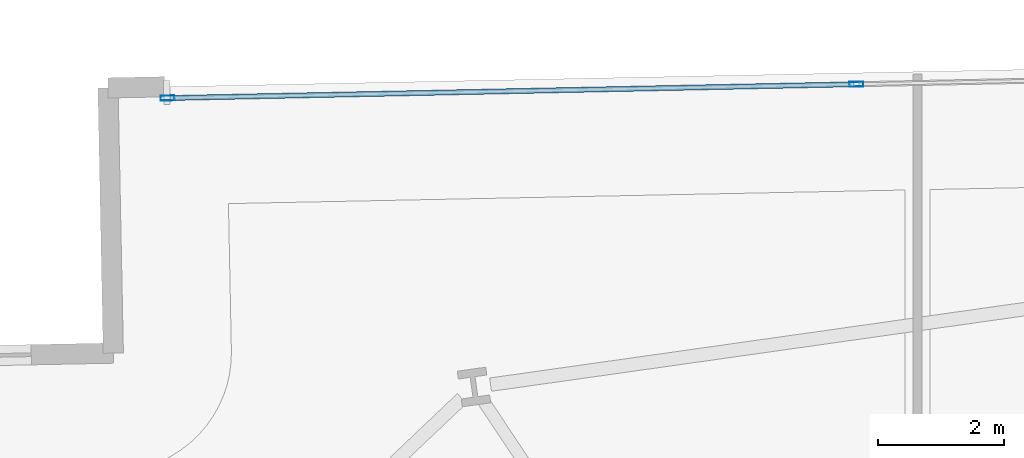
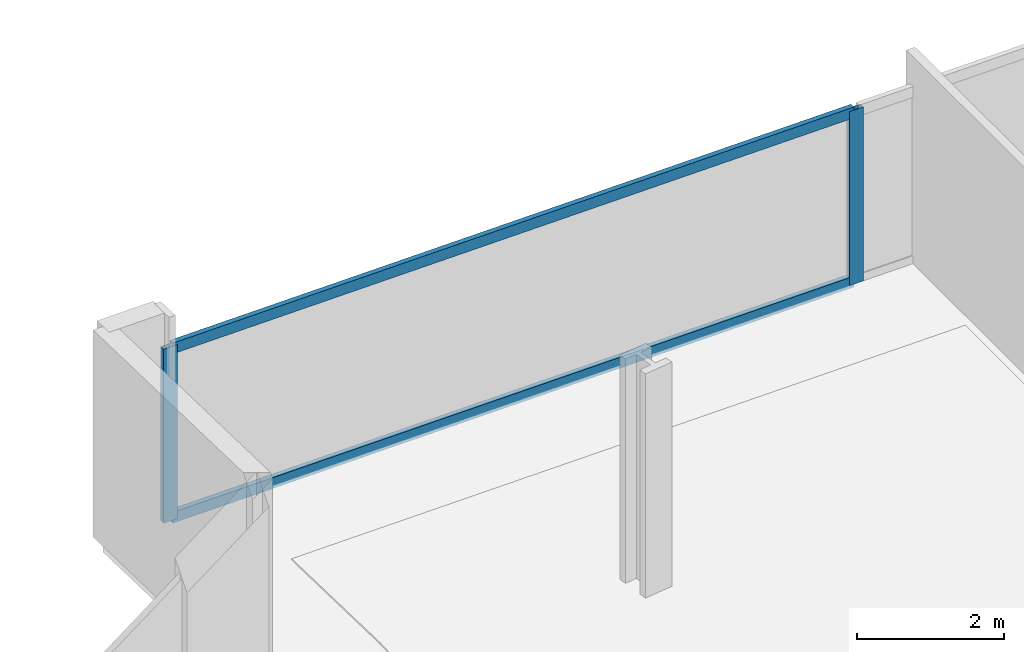
# One storey, part 20 of 35: 4 members, 1 element without a shape of its own.
"""IFC4 building model written with IfcOpenShell, lengths in metres."""

from ifc_helpers import new_model, si_unit, direction, frame, origin, origin_2d, place, context, subcontext, project, spatial, hollow_rectangle, extrude, material, material_profile, profile_set, type_object, element, aggregate, save


model = new_model("IFC4")

# Units and contexts
model_context = context("Model", 3, precision=1e-05, world=origin(), true_north=direction((0.0, 1.0)))
body_context = subcontext(model_context, "Body", "Model", "MODEL_VIEW")
ifc_project = project(units=[si_unit("LENGTHUNIT", "METRE"), si_unit("AREAUNIT", "SQUARE_METRE"), si_unit("VOLUMEUNIT", "CUBIC_METRE"), si_unit("PLANEANGLEUNIT", "RADIAN"), si_unit("MASSUNIT", "GRAM", prefix="KILO")], contexts=[model_context])

# Site, building, storey
site_placement = place(None, origin())
site = spatial("IfcSite", under=ifc_project, at=site_placement, CompositionType="ELEMENT")
building_placement = place(site_placement, origin())
building = spatial("IfcBuilding", under=site, at=building_placement, Name="Haldenkirk Collegiate Tower", CompositionType="ELEMENT")
storey_placement = place(building_placement, frame((0.0, 0.0, 32.699951171875)))
storey = spatial("IfcBuildingStorey", under=building, at=storey_placement, Name="L06", CompositionType="ELEMENT", Elevation=32.699951171875)

# Curtain wall, members
ifc_material = material(Name="Anodised architectural bronze aluminium", Category="aluminium")
curtain_wall_type = type_object("IfcCurtainWallType", Name="CW-SYS1-CONVEX-LOW", PredefinedType="USERDEFINED", material=ifc_material)
curtain_wall_placement = place(storey_placement, origin())
curtain_wall = element("IfcCurtainWall", 1, at=curtain_wall_placement, inside=storey, type_object=curtain_wall_type, Name="L06 Lower tower convex bronze-framed unitised curtain wall", ObjectType="UNITISED CURTAIN WALL", PredefinedType="USERDEFINED")
ifc_material_profile_1 = material_profile(ifc_material, hollow_rectangle(XDim=0.080078125, YDim=0.219970703125, WallThickness=0.0048828125, at=origin_2d()), Name="CW-MUL-1A")
ifc_profile_set_1 = profile_set([ifc_material_profile_1], Name="Anodised architectural bronze aluminium")
member_type_1 = type_object("IfcMemberType", Name="CW-MUL-1A", PredefinedType="MULLION", material=ifc_profile_set_1)
member_1_placement = place(storey_placement, frame((13.626220703125, 51.376220703125, 0.0), z_axis=(0.0, 0.0, 1.0), x_axis=(-0.020068483542, 0.999798607705, 0.0)))
member_1 = element("IfcMember", 2, at=member_1_placement, type_object=member_type_1, Name="CW-1A mullion 1", PredefinedType="MULLION", context=body_context, shape_type="SweptSolid", body=[
    extrude(hollow_rectangle(XDim=0.080078125, YDim=0.219970703125, WallThickness=0.0048828125, at=origin_2d()), origin(), (0.0, 0.0, 1.0), 2.89111328125),
])
member_2_placement = place(storey_placement, frame((24.533935546875, 51.594970703125, 0.0), z_axis=(0.0, 0.0, 1.0), x_axis=(-0.020068483542, 0.999798607705, 0.0)))
member_2 = element("IfcMember", 3, at=member_2_placement, type_object=member_type_1, Name="CW-1A mullion 2", PredefinedType="MULLION", context=body_context, shape_type="SweptSolid", body=[
    extrude(hollow_rectangle(XDim=0.080078125, YDim=0.219970703125, WallThickness=0.0048828125, at=origin_2d()), origin(), (0.0, 0.0, 1.0), 2.89111328125),
])
ifc_material_profile_2 = material_profile(ifc_material, hollow_rectangle(XDim=0.080078125, YDim=0.179931640625, WallThickness=0.0048828125, at=origin_2d()), Name="CW-TRN-1A")
ifc_profile_set_2 = profile_set([ifc_material_profile_2], Name="Anodised architectural bronze aluminium")
member_type_2 = type_object("IfcMemberType", Name="CW-TRN-1A", PredefinedType="USERDEFINED", material=ifc_profile_set_2)
member_3_placement = place(storey_placement, frame((13.666259765625, 51.376953125, 0.0400390625), z_axis=(0.999798705633, 0.020063604239, 0.0), x_axis=(-0.020063604239, 0.999798705633, 0.0)))
member_3 = element("IfcMember", 4, at=member_3_placement, type_object=member_type_2, Name="CW-1A transom 1.1", ObjectType="TRANSOM", PredefinedType="USERDEFINED", context=body_context, shape_type="SweptSolid", body=[
    extrude(hollow_rectangle(XDim=0.080078125, YDim=0.179931640625, WallThickness=0.0048828125, at=origin_2d()), origin(), (0.0, 0.0, 1.0), 10.829833984375),
])
member_4_placement = place(storey_placement, frame((13.666259765625, 51.376953125, 2.85107421875), z_axis=(0.999798705633, 0.020063604239, 0.0), x_axis=(-0.020063604239, 0.999798705633, 0.0)))
member_4 = element("IfcMember", 5, at=member_4_placement, type_object=member_type_2, Name="CW-1A transom 1.2", ObjectType="TRANSOM", PredefinedType="USERDEFINED", context=body_context, shape_type="SweptSolid", body=[
    extrude(hollow_rectangle(XDim=0.080078125, YDim=0.179931640625, WallThickness=0.0048828125, at=origin_2d()), origin(), (0.0, 0.0, 1.0), 10.829833984375),
])
aggregate(curtain_wall, [member_1, member_2, member_3, member_4])

save(model, "model.ifc")
